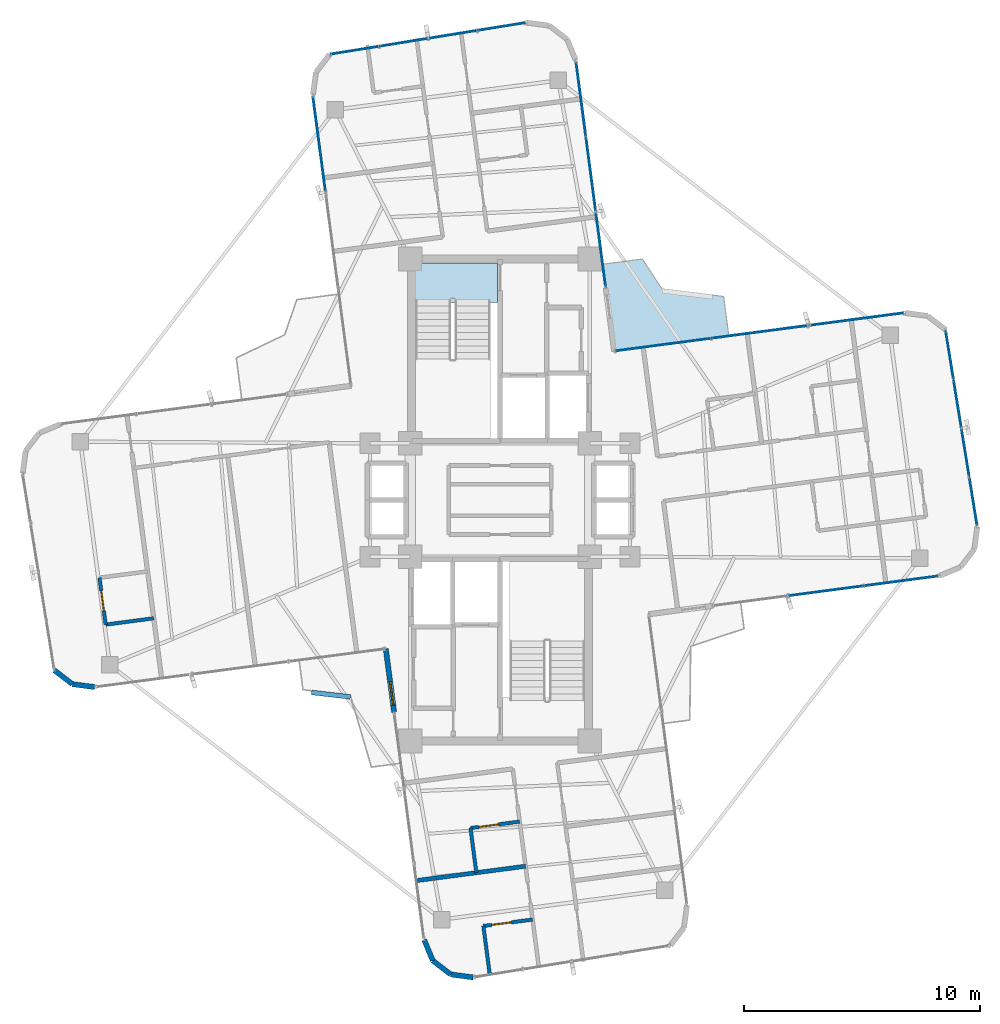
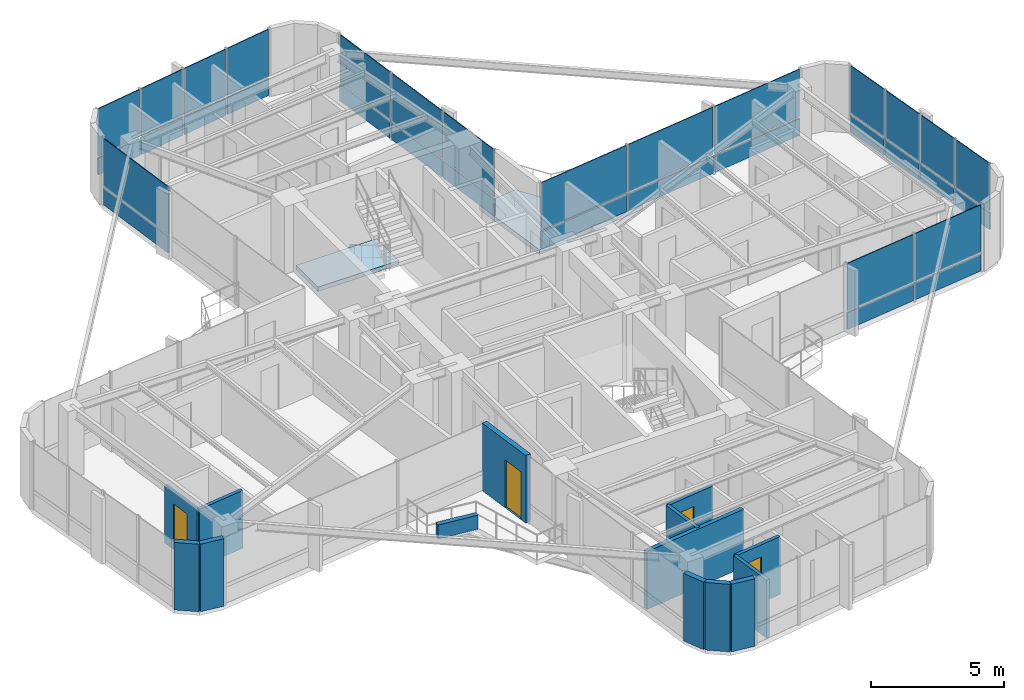
# One storey, part 18 of 22: 34 plates, 14 walls, 4 doors, 2 slabs, 4 openings, 6 elements without a shape of their own.
"""IFC4 building model written with IfcOpenShell, lengths in metres."""

from ifc_helpers import new_model, si_unit, direction, frame, frame_2d, origin, origin_2d, place, context, subcontext, project, spatial, polyline, rectangle, outline, extrude, source, transform, mapped, material, layer, layer_set, type_object, element, fill, aggregate, save


model = new_model("IFC4")

# Units and contexts
model_context = context("Model", 3, precision=1e-05, world=origin(), true_north=direction((0.0, 1.0)))
body_context = subcontext(model_context, "Body", "Model", "MODEL_VIEW")
ifc_project = project(units=[si_unit("LENGTHUNIT", "METRE"), si_unit("AREAUNIT", "SQUARE_METRE"), si_unit("VOLUMEUNIT", "CUBIC_METRE"), si_unit("PLANEANGLEUNIT", "RADIAN"), si_unit("MASSUNIT", "GRAM", prefix="KILO")], contexts=[model_context])

# Site, building, storey
site_placement = place(None, origin())
site = spatial("IfcSite", under=ifc_project, at=site_placement, CompositionType="ELEMENT")
building_placement = place(site_placement, origin())
building = spatial("IfcBuilding", under=site, at=building_placement, Name="Sahyath Konkavel Grand Hotel", CompositionType="ELEMENT")
storey_placement = place(building_placement, frame((0.0, 0.0, 247.85009765625)))
storey = spatial("IfcBuildingStorey", under=building, at=storey_placement, Name="L69", CompositionType="ELEMENT", Elevation=247.85009765625)

# Slabs
ifc_material_1 = material(Name="Concrete C40/50", Category="concrete")
ifc_layer_1 = layer(ifc_material_1, 0.219970703125)
ifc_layer_set_1 = layer_set([ifc_layer_1], Name="Concrete C40/50")
slab_type_1 = type_object("IfcSlabType", Name="SLB-BALCONY-220", PredefinedType="FLOOR", material=ifc_layer_set_1)
slab_1_placement = place(storey_placement, frame((0.0, 0.0, -0.22021484375)))
element("IfcSlab", 1, at=slab_1_placement, inside=storey, type_object=slab_type_1, Name="L69 Winter-Garden Balcony NE", PredefinedType="FLOOR", context=body_context, shape_type="SweptSolid", body=[
    extrude(outline(polyline([(4.832275390625, 6.297607421875), (9.681396484375, 6.93603515625), (9.461181640625, 8.610107421875), (6.851318359375, 8.9287109375), (6.022216796875, 10.1953125), (4.34814453125, 9.974853515625), (4.832275390625, 6.297607421875)])), origin(), (0.0, 0.0, 1.0), 0.22021484375),
])
ifc_layer_2 = layer(ifc_material_1, 0.199951171875)
ifc_layer_set_2 = layer_set([ifc_layer_2], Name="Concrete C40/50")
slab_type_2 = type_object("IfcSlabType", Name="SLB-STAIR-LND", PredefinedType="LANDING", material=ifc_layer_set_2)
slab_2_placement = place(storey_placement, frame((0.0, 0.0, -0.2001953125)))
element("IfcSlab", 2, at=slab_2_placement, inside=storey, type_object=slab_type_2, Name="L69 Stair ST-1 Floor Landing Slab", PredefinedType="LANDING", context=body_context, shape_type="SweptSolid", body=[
    extrude(outline(polyline([(-3.6201171875, 8.35009765625), (-0.10009765625, 8.35009765625), (-0.10009765625, 10.02001953125), (-3.6201171875, 10.02001953125), (-3.6201171875, 8.35009765625)])), origin(), (0.0, 0.0, 1.0), 0.2001953125),
])

# Curtain wall, plates
ifc_material_2 = material(Name="Anodised Bronze Aluminium & Low-E Glazing", Category="aluminium")
curtain_wall_type = type_object("IfcCurtainWallType", Name="CW-ZONE4", PredefinedType="NOTDEFINED", material=ifc_material_2)
curtain_wall_1_placement = place(storey_placement, origin())
curtain_wall_1 = element("IfcCurtainWall", 3, at=curtain_wall_1_placement, inside=storey, type_object=curtain_wall_type, Name="L69 Unitised Curtain Wall F0", PredefinedType="NOTDEFINED")
ifc_material_3 = material(Name="Warm Buff Sandstone Cladding", Category="masonry")
ifc_layer_3 = layer(ifc_material_3, 0.074951171875)
ifc_layer_set_3 = layer_set([ifc_layer_3], Name="Warm Buff Sandstone Cladding")
plate_type_1 = type_object("IfcPlateType", Name="PNL-SPANDREL-STONE", PredefinedType="SHEET", material=ifc_layer_set_3)
shared_shape_1 = source(origin(), body_context, "Body", "SweptSolid", [
    extrude(rectangle(XDim=3.13232421875, YDim=0.074951171875, at=origin_2d()), origin(), (0.0, 0.0, 1.0), 0.77001953125),
])
plate_1_placement = place(storey_placement, frame((13.79150390625, -3.845703125, 0.039794921875), z_axis=(0.0, 0.0, 1.0), x_axis=(0.991444861374, 0.13052619222, 0.0)))
plate_1 = element("IfcPlate", 4, at=plate_1_placement, type_object=plate_type_1, Name="L69 Sandstone Relief Spandrel Panel F0-1", PredefinedType="SHEET", context=body_context, shape_type="MappedRepresentation", body=[
    mapped(shared_shape_1, transform((0.0, 0.0, 0.0), scale=1.0)),
])
plate_2_placement = place(storey_placement, frame((16.976318359375, -3.426513671875, 0.039794921875), z_axis=(0.0, 0.0, 1.0), x_axis=(0.991444861374, 0.13052619222, 0.0)))
plate_2 = element("IfcPlate", 5, at=plate_2_placement, type_object=plate_type_1, Name="L69 Sandstone Relief Spandrel Panel F0-2", PredefinedType="SHEET", context=body_context, shape_type="MappedRepresentation", body=[
    mapped(shared_shape_1, transform((0.0, 0.0, 0.0), scale=1.0)),
])

curtain_wall_2_placement = place(storey_placement, origin())
curtain_wall_2 = element("IfcCurtainWall", 6, at=curtain_wall_2_placement, inside=storey, type_object=curtain_wall_type, Name="L69 Unitised Curtain Wall F8", PredefinedType="NOTDEFINED")
plate_3_placement = place(storey_placement, frame((4.26513671875, 10.606689453125, 0.039794921875), z_axis=(0.0, 0.0, 1.0), x_axis=(-0.13052619222, 0.991444861374, 0.0)))
plate_3 = element("IfcPlate", 7, at=plate_3_placement, type_object=plate_type_1, Name="L69 Sandstone Relief Spandrel Panel F8-0", PredefinedType="SHEET", context=body_context, shape_type="MappedRepresentation", body=[
    mapped(shared_shape_1, transform((0.0, 0.0, 0.0), scale=1.0)),
])
plate_4_placement = place(storey_placement, frame((3.845703125, 13.79150390625, 0.039794921875), z_axis=(0.0, 0.0, 1.0), x_axis=(-0.13052619222, 0.991444861374, 0.0)))
plate_4 = element("IfcPlate", 8, at=plate_4_placement, type_object=plate_type_1, Name="L69 Sandstone Relief Spandrel Panel F8-1", PredefinedType="SHEET", context=body_context, shape_type="MappedRepresentation", body=[
    mapped(shared_shape_1, transform((0.0, 0.0, 0.0), scale=1.0)),
])
plate_5_placement = place(storey_placement, frame((3.426513671875, 16.976318359375, 0.039794921875), z_axis=(0.0, 0.0, 1.0), x_axis=(-0.13052619222, 0.991444861374, 0.0)))
plate_5 = element("IfcPlate", 9, at=plate_5_placement, type_object=plate_type_1, Name="L69 Sandstone Relief Spandrel Panel F8-2", PredefinedType="SHEET", context=body_context, shape_type="MappedRepresentation", body=[
    mapped(shared_shape_1, transform((0.0, 0.0, 0.0), scale=1.0)),
])

# Plate
ifc_material_4 = material(Name="Low-E Solar Control Double Glazing", Category="glass")
ifc_layer_4 = layer(ifc_material_4, 0.035888671875)
ifc_layer_set_4 = layer_set([ifc_layer_4], Name="Low-E Solar Control Double Glazing")
plate_type_2 = type_object("IfcPlateType", Name="PNL-VISION-LOWE", PredefinedType="CURTAIN_PANEL", material=ifc_layer_set_4)
shared_shape_2 = source(origin(), body_context, "Body", "SweptSolid", [
    extrude(rectangle(XDim=3.13232421875, YDim=0.035888671875, at=origin_2d()), origin(), (0.0, 0.0, 1.0), 2.179931640625),
])
plate_6_placement = place(storey_placement, frame((13.79150390625, -3.845703125, 0.89013671875), z_axis=(0.0, 0.0, 1.0), x_axis=(0.991444861374, 0.13052619222, 0.0)))
plate_6 = element("IfcPlate", 10, at=plate_6_placement, type_object=plate_type_2, Name="L69 Low-E Vision Glazing Panel F0-1", PredefinedType="CURTAIN_PANEL", context=body_context, shape_type="MappedRepresentation", body=[
    mapped(shared_shape_2, transform((0.0, 0.0, 0.0), scale=1.0)),
])

plate_7_placement = place(storey_placement, frame((16.976318359375, -3.426513671875, 0.89013671875), z_axis=(0.0, 0.0, 1.0), x_axis=(0.991444861374, 0.13052619222, 0.0)))
plate_7 = element("IfcPlate", 11, at=plate_7_placement, type_object=plate_type_2, Name="L69 Low-E Vision Glazing Panel F0-2", PredefinedType="CURTAIN_PANEL", context=body_context, shape_type="MappedRepresentation", body=[
    mapped(shared_shape_2, transform((0.0, 0.0, 0.0), scale=1.0)),
])

aggregate(curtain_wall_1, [plate_1, plate_6, plate_2, plate_7])

plate_8_placement = place(storey_placement, frame((4.26513671875, 10.606689453125, 0.89013671875), z_axis=(0.0, 0.0, 1.0), x_axis=(-0.13052619222, 0.991444861374, 0.0)))
plate_8 = element("IfcPlate", 12, at=plate_8_placement, type_object=plate_type_2, Name="L69 Low-E Vision Glazing Panel F8-0", PredefinedType="CURTAIN_PANEL", context=body_context, shape_type="MappedRepresentation", body=[
    mapped(shared_shape_2, transform((0.0, 0.0, 0.0), scale=1.0)),
])

plate_9_placement = place(storey_placement, frame((3.845703125, 13.79150390625, 0.89013671875), z_axis=(0.0, 0.0, 1.0), x_axis=(-0.13052619222, 0.991444861374, 0.0)))
plate_9 = element("IfcPlate", 13, at=plate_9_placement, type_object=plate_type_2, Name="L69 Low-E Vision Glazing Panel F8-1", PredefinedType="CURTAIN_PANEL", context=body_context, shape_type="MappedRepresentation", body=[
    mapped(shared_shape_2, transform((0.0, 0.0, 0.0), scale=1.0)),
])

plate_10_placement = place(storey_placement, frame((3.426513671875, 16.976318359375, 0.89013671875), z_axis=(0.0, 0.0, 1.0), x_axis=(-0.13052619222, 0.991444861374, 0.0)))
plate_10 = element("IfcPlate", 14, at=plate_10_placement, type_object=plate_type_2, Name="L69 Low-E Vision Glazing Panel F8-2", PredefinedType="CURTAIN_PANEL", context=body_context, shape_type="MappedRepresentation", body=[
    mapped(shared_shape_2, transform((0.0, 0.0, 0.0), scale=1.0)),
])

aggregate(curtain_wall_2, [plate_3, plate_8, plate_4, plate_9, plate_5, plate_10])

# Curtain wall, plates
curtain_wall_3_placement = place(storey_placement, origin())
curtain_wall_3 = element("IfcCurtainWall", 15, at=curtain_wall_3_placement, inside=storey, type_object=curtain_wall_type, Name="L69 Unitised Curtain Wall F4", PredefinedType="NOTDEFINED")
shared_shape_3 = source(origin(), body_context, "Body", "SweptSolid", [
    extrude(rectangle(XDim=2.013671875, YDim=0.074951171875, at=origin_2d()), origin(), (0.0, 0.0, 1.0), 0.77001953125),
])
plate_11_placement = place(storey_placement, frame((20.027587890625, -0.06298828125, 0.039794921875), z_axis=(0.0, 0.0, 1.0), x_axis=(-0.159536602398, 0.987192013995, 0.0)))
plate_11 = element("IfcPlate", 16, at=plate_11_placement, type_object=plate_type_1, Name="L69 Sandstone Relief Spandrel Panel F4-0", PredefinedType="SHEET", context=body_context, shape_type="MappedRepresentation", body=[
    mapped(shared_shape_3, transform((0.0, 0.0, 0.0), scale=1.0)),
])
plate_12_placement = place(storey_placement, frame((19.693603515625, 2.00390625, 0.039794921875), z_axis=(0.0, 0.0, 1.0), x_axis=(-0.159536602398, 0.987192013995, 0.0)))
plate_12 = element("IfcPlate", 17, at=plate_12_placement, type_object=plate_type_1, Name="L69 Sandstone Relief Spandrel Panel F4-1", PredefinedType="SHEET", context=body_context, shape_type="MappedRepresentation", body=[
    mapped(shared_shape_3, transform((0.0, 0.0, 0.0), scale=1.0)),
])
plate_13_placement = place(storey_placement, frame((19.359619140625, 4.070556640625, 0.039794921875), z_axis=(0.0, 0.0, 1.0), x_axis=(-0.159536602398, 0.987192013995, 0.0)))
plate_13 = element("IfcPlate", 18, at=plate_13_placement, type_object=plate_type_1, Name="L69 Sandstone Relief Spandrel Panel F4-2", PredefinedType="SHEET", context=body_context, shape_type="MappedRepresentation", body=[
    mapped(shared_shape_3, transform((0.0, 0.0, 0.0), scale=1.0)),
])
plate_14_placement = place(storey_placement, frame((19.025634765625, 6.137451171875, 0.039794921875), z_axis=(0.0, 0.0, 1.0), x_axis=(-0.159536602398, 0.987192013995, 0.0)))
plate_14 = element("IfcPlate", 19, at=plate_14_placement, type_object=plate_type_1, Name="L69 Sandstone Relief Spandrel Panel F4-3", PredefinedType="SHEET", context=body_context, shape_type="MappedRepresentation", body=[
    mapped(shared_shape_3, transform((0.0, 0.0, 0.0), scale=1.0)),
])

curtain_wall_4_placement = place(storey_placement, origin())
curtain_wall_4 = element("IfcCurtainWall", 20, at=curtain_wall_4_placement, inside=storey, type_object=curtain_wall_type, Name="L69 Unitised Curtain Wall F12", PredefinedType="NOTDEFINED")
plate_15_placement = place(storey_placement, frame((0.06298828125, 20.027587890625, 0.039794921875), z_axis=(0.0, 0.0, 1.0), x_axis=(-0.987192013995, -0.159536602398, 0.0)))
plate_15 = element("IfcPlate", 21, at=plate_15_placement, type_object=plate_type_1, Name="L69 Sandstone Relief Spandrel Panel F12-0", PredefinedType="SHEET", context=body_context, shape_type="MappedRepresentation", body=[
    mapped(shared_shape_3, transform((0.0, 0.0, 0.0), scale=1.0)),
])
plate_16_placement = place(storey_placement, frame((-2.00390625, 19.693603515625, 0.039794921875), z_axis=(0.0, 0.0, 1.0), x_axis=(-0.987192013995, -0.159536602398, 0.0)))
plate_16 = element("IfcPlate", 22, at=plate_16_placement, type_object=plate_type_1, Name="L69 Sandstone Relief Spandrel Panel F12-1", PredefinedType="SHEET", context=body_context, shape_type="MappedRepresentation", body=[
    mapped(shared_shape_3, transform((0.0, 0.0, 0.0), scale=1.0)),
])
plate_17_placement = place(storey_placement, frame((-4.070556640625, 19.359619140625, 0.039794921875), z_axis=(0.0, 0.0, 1.0), x_axis=(-0.987192013995, -0.159536602398, 0.0)))
plate_17 = element("IfcPlate", 23, at=plate_17_placement, type_object=plate_type_1, Name="L69 Sandstone Relief Spandrel Panel F12-2", PredefinedType="SHEET", context=body_context, shape_type="MappedRepresentation", body=[
    mapped(shared_shape_3, transform((0.0, 0.0, 0.0), scale=1.0)),
])
plate_18_placement = place(storey_placement, frame((-6.137451171875, 19.025634765625, 0.039794921875), z_axis=(0.0, 0.0, 1.0), x_axis=(-0.987192013995, -0.159536602398, 0.0)))
plate_18 = element("IfcPlate", 24, at=plate_18_placement, type_object=plate_type_1, Name="L69 Sandstone Relief Spandrel Panel F12-3", PredefinedType="SHEET", context=body_context, shape_type="MappedRepresentation", body=[
    mapped(shared_shape_3, transform((0.0, 0.0, 0.0), scale=1.0)),
])

# Plate
shared_shape_4 = source(origin(), body_context, "Body", "SweptSolid", [
    extrude(rectangle(XDim=2.013671875, YDim=0.035888671875, at=origin_2d()), origin(), (0.0, 0.0, 1.0), 2.179931640625),
])
plate_19_placement = place(storey_placement, frame((20.027587890625, -0.06298828125, 0.89013671875), z_axis=(0.0, 0.0, 1.0), x_axis=(-0.159536602398, 0.987192013995, 0.0)))
plate_19 = element("IfcPlate", 25, at=plate_19_placement, type_object=plate_type_2, Name="L69 Low-E Vision Glazing Panel F4-0", PredefinedType="CURTAIN_PANEL", context=body_context, shape_type="MappedRepresentation", body=[
    mapped(shared_shape_4, transform((0.0, 0.0, 0.0), scale=1.0)),
])

plate_20_placement = place(storey_placement, frame((19.693603515625, 2.00390625, 0.89013671875), z_axis=(0.0, 0.0, 1.0), x_axis=(-0.159536602398, 0.987192013995, 0.0)))
plate_20 = element("IfcPlate", 26, at=plate_20_placement, type_object=plate_type_2, Name="L69 Low-E Vision Glazing Panel F4-1", PredefinedType="CURTAIN_PANEL", context=body_context, shape_type="MappedRepresentation", body=[
    mapped(shared_shape_4, transform((0.0, 0.0, 0.0), scale=1.0)),
])

plate_21_placement = place(storey_placement, frame((19.359619140625, 4.070556640625, 0.89013671875), z_axis=(0.0, 0.0, 1.0), x_axis=(-0.159536602398, 0.987192013995, 0.0)))
plate_21 = element("IfcPlate", 27, at=plate_21_placement, type_object=plate_type_2, Name="L69 Low-E Vision Glazing Panel F4-2", PredefinedType="CURTAIN_PANEL", context=body_context, shape_type="MappedRepresentation", body=[
    mapped(shared_shape_4, transform((0.0, 0.0, 0.0), scale=1.0)),
])

plate_22_placement = place(storey_placement, frame((19.025634765625, 6.137451171875, 0.89013671875), z_axis=(0.0, 0.0, 1.0), x_axis=(-0.159536602398, 0.987192013995, 0.0)))
plate_22 = element("IfcPlate", 28, at=plate_22_placement, type_object=plate_type_2, Name="L69 Low-E Vision Glazing Panel F4-3", PredefinedType="CURTAIN_PANEL", context=body_context, shape_type="MappedRepresentation", body=[
    mapped(shared_shape_4, transform((0.0, 0.0, 0.0), scale=1.0)),
])

aggregate(curtain_wall_3, [plate_11, plate_19, plate_12, plate_20, plate_13, plate_21, plate_14, plate_22])

plate_23_placement = place(storey_placement, frame((0.06298828125, 20.027587890625, 0.89013671875), z_axis=(0.0, 0.0, 1.0), x_axis=(-0.987192013995, -0.159536602398, 0.0)))
plate_23 = element("IfcPlate", 29, at=plate_23_placement, type_object=plate_type_2, Name="L69 Low-E Vision Glazing Panel F12-0", PredefinedType="CURTAIN_PANEL", context=body_context, shape_type="MappedRepresentation", body=[
    mapped(shared_shape_4, transform((0.0, 0.0, 0.0), scale=1.0)),
])

plate_24_placement = place(storey_placement, frame((-2.00390625, 19.693603515625, 0.89013671875), z_axis=(0.0, 0.0, 1.0), x_axis=(-0.987192013995, -0.159536602398, 0.0)))
plate_24 = element("IfcPlate", 30, at=plate_24_placement, type_object=plate_type_2, Name="L69 Low-E Vision Glazing Panel F12-1", PredefinedType="CURTAIN_PANEL", context=body_context, shape_type="MappedRepresentation", body=[
    mapped(shared_shape_4, transform((0.0, 0.0, 0.0), scale=1.0)),
])

plate_25_placement = place(storey_placement, frame((-4.070556640625, 19.359619140625, 0.89013671875), z_axis=(0.0, 0.0, 1.0), x_axis=(-0.987192013995, -0.159536602398, 0.0)))
plate_25 = element("IfcPlate", 31, at=plate_25_placement, type_object=plate_type_2, Name="L69 Low-E Vision Glazing Panel F12-2", PredefinedType="CURTAIN_PANEL", context=body_context, shape_type="MappedRepresentation", body=[
    mapped(shared_shape_4, transform((0.0, 0.0, 0.0), scale=1.0)),
])

plate_26_placement = place(storey_placement, frame((-6.137451171875, 19.025634765625, 0.89013671875), z_axis=(0.0, 0.0, 1.0), x_axis=(-0.987192013995, -0.159536602398, 0.0)))
plate_26 = element("IfcPlate", 32, at=plate_26_placement, type_object=plate_type_2, Name="L69 Low-E Vision Glazing Panel F12-3", PredefinedType="CURTAIN_PANEL", context=body_context, shape_type="MappedRepresentation", body=[
    mapped(shared_shape_4, transform((0.0, 0.0, 0.0), scale=1.0)),
])

aggregate(curtain_wall_4, [plate_15, plate_23, plate_16, plate_24, plate_17, plate_25, plate_18, plate_26])

# Curtain wall, plates
curtain_wall_5_placement = place(storey_placement, origin())
curtain_wall_5 = element("IfcCurtainWall", 33, at=curtain_wall_5_placement, inside=storey, type_object=curtain_wall_type, Name="L69 Unitised Curtain Wall F7", PredefinedType="NOTDEFINED")
shared_shape_5 = source(origin(), body_context, "Body", "SweptSolid", [
    extrude(rectangle(XDim=4.0322265625, YDim=0.074951171875, at=origin_2d()), origin(), (0.0, 0.0, 1.0), 0.77001953125),
])
plate_27_placement = place(storey_placement, frame((15.064697265625, 7.644775390625, 0.039794921875), z_axis=(0.0, 0.0, 1.0), x_axis=(-0.991444861374, -0.13052619222, 0.0)))
plate_27 = element("IfcPlate", 34, at=plate_27_placement, type_object=plate_type_1, Name="L69 Sandstone Relief Spandrel Panel F7-0", PredefinedType="SHEET", context=body_context, shape_type="MappedRepresentation", body=[
    mapped(shared_shape_5, transform((0.0, 0.0, 0.0), scale=1.0)),
])
plate_28_placement = place(storey_placement, frame((10.98779296875, 7.10791015625, 0.039794921875), z_axis=(0.0, 0.0, 1.0), x_axis=(-0.991444861374, -0.13052619222, 0.0)))
plate_28 = element("IfcPlate", 35, at=plate_28_placement, type_object=plate_type_1, Name="L69 Sandstone Relief Spandrel Panel F7-1", PredefinedType="SHEET", context=body_context, shape_type="MappedRepresentation", body=[
    mapped(shared_shape_5, transform((0.0, 0.0, 0.0), scale=1.0)),
])
plate_29_placement = place(storey_placement, frame((6.910400390625, 6.5712890625, 0.039794921875), z_axis=(0.0, 0.0, 1.0), x_axis=(-0.991444861374, -0.13052619222, 0.0)))
plate_29 = element("IfcPlate", 36, at=plate_29_placement, type_object=plate_type_1, Name="L69 Sandstone Relief Spandrel Panel F7-2", PredefinedType="SHEET", context=body_context, shape_type="MappedRepresentation", body=[
    mapped(shared_shape_5, transform((0.0, 0.0, 0.0), scale=1.0)),
])

# Curtain wall, plate
curtain_wall_6_placement = place(storey_placement, origin())
curtain_wall_6 = element("IfcCurtainWall", 37, at=curtain_wall_6_placement, inside=storey, type_object=curtain_wall_type, Name="L69 Unitised Curtain Wall F15", PredefinedType="NOTDEFINED")
plate_30_placement = place(storey_placement, frame((-7.644775390625, 15.064697265625, 0.039794921875), z_axis=(0.0, 0.0, 1.0), x_axis=(0.13052619222, -0.991444861374, 0.0)))
plate_30 = element("IfcPlate", 38, at=plate_30_placement, type_object=plate_type_1, Name="L69 Sandstone Relief Spandrel Panel F15-0", PredefinedType="SHEET", context=body_context, shape_type="MappedRepresentation", body=[
    mapped(shared_shape_5, transform((0.0, 0.0, 0.0), scale=1.0)),
])

# Plate
shared_shape_6 = source(origin(), body_context, "Body", "SweptSolid", [
    extrude(rectangle(XDim=4.0322265625, YDim=0.035888671875, at=origin_2d()), origin(), (0.0, 0.0, 1.0), 2.179931640625),
])
plate_31_placement = place(storey_placement, frame((15.064697265625, 7.644775390625, 0.89013671875), z_axis=(0.0, 0.0, 1.0), x_axis=(-0.991444861374, -0.13052619222, 0.0)))
plate_31 = element("IfcPlate", 39, at=plate_31_placement, type_object=plate_type_2, Name="L69 Low-E Vision Glazing Panel F7-0", PredefinedType="CURTAIN_PANEL", context=body_context, shape_type="MappedRepresentation", body=[
    mapped(shared_shape_6, transform((0.0, 0.0, 0.0), scale=1.0)),
])

plate_32_placement = place(storey_placement, frame((10.98779296875, 7.10791015625, 0.89013671875), z_axis=(0.0, 0.0, 1.0), x_axis=(-0.991444861374, -0.13052619222, 0.0)))
plate_32 = element("IfcPlate", 40, at=plate_32_placement, type_object=plate_type_2, Name="L69 Low-E Vision Glazing Panel F7-1", PredefinedType="CURTAIN_PANEL", context=body_context, shape_type="MappedRepresentation", body=[
    mapped(shared_shape_6, transform((0.0, 0.0, 0.0), scale=1.0)),
])

plate_33_placement = place(storey_placement, frame((6.910400390625, 6.5712890625, 0.89013671875), z_axis=(0.0, 0.0, 1.0), x_axis=(-0.991444861374, -0.13052619222, 0.0)))
plate_33 = element("IfcPlate", 41, at=plate_33_placement, type_object=plate_type_2, Name="L69 Low-E Vision Glazing Panel F7-2", PredefinedType="CURTAIN_PANEL", context=body_context, shape_type="MappedRepresentation", body=[
    mapped(shared_shape_6, transform((0.0, 0.0, 0.0), scale=1.0)),
])

aggregate(curtain_wall_5, [plate_27, plate_31, plate_28, plate_32, plate_29, plate_33])

plate_34_placement = place(storey_placement, frame((-7.644775390625, 15.064697265625, 0.89013671875), z_axis=(0.0, 0.0, 1.0), x_axis=(0.13052619222, -0.991444861374, 0.0)))
plate_34 = element("IfcPlate", 42, at=plate_34_placement, type_object=plate_type_2, Name="L69 Low-E Vision Glazing Panel F15-0", PredefinedType="CURTAIN_PANEL", context=body_context, shape_type="MappedRepresentation", body=[
    mapped(shared_shape_6, transform((0.0, 0.0, 0.0), scale=1.0)),
])

aggregate(curtain_wall_6, [plate_30, plate_34])

# Walls
ifc_material_5 = material(Name="Warm Buff Sandstone Insulated Concrete C40/50", Category="masonry")
ifc_layer_5 = layer(ifc_material_5, 0.219970703125)
ifc_layer_set_5 = layer_set([ifc_layer_5], Name="Warm Buff Sandstone Insulated Concrete C40/50")
wall_type_1 = type_object("IfcWallType", Name="WLL-BALC-THRESH", PredefinedType="STANDARD", material=ifc_layer_set_5)
for number, where, z_axis, x_axis, name in (
    (43, (-18.852294921875, -7.21044921875, 0.0), (0.0, 0.0, 1.0), (0.793343685778, -0.608774010809, 0.0), "L69 Rounded Corner Sandstone Pier 21"),
    (44, (-18.092529296875, -7.79345703125, 0.0), (0.0, 0.0, 1.0), (0.991444747987, -0.130527053476, 0.0), "L69 Rounded Corner Sandstone Pier 22"),
):
    element("IfcWall", number, at=place(storey_placement, frame(where, z_axis=z_axis, x_axis=x_axis)), inside=storey, type_object=wall_type_1, Name=name, PredefinedType="STANDARD", context=body_context, shape_type="SweptSolid", body=[
        extrude(rectangle(XDim=0.957763671875, YDim=0.219970703125, at=frame_2d((0.47900390625, 0.0))), origin(), (0.0, 0.0, 1.0), 3.10986328125),
    ])

# Wall, opening, door
wall_1_placement = place(storey_placement, frame((-4.832275390625, -6.297607421875, 0.0), z_axis=(0.0, 0.0, 1.0), x_axis=(0.130475563272, -0.991451525486, 0.0)))
wall_1 = element("IfcWall", 45, at=wall_1_placement, inside=storey, type_object=wall_type_1, Name="L69 Winter-Garden Threshold Wall 24", PredefinedType="STANDARD", context=body_context, shape_type="SweptSolid", body=[
    extrude(rectangle(XDim=2.7001953125, YDim=0.219970703125, at=frame_2d((1.35009765625, 0.0))), origin(), (0.0, 0.0, 1.0), 3.10986328125),
])
opening_1_placement = place(wall_1_placement, frame((1.39990234375, 0.0, 0.0)))
opening_1 = element("IfcOpeningElement", 46, at=opening_1_placement, cuts=wall_1, Name="Opening D-TR1", PredefinedType="OPENING", context=body_context, shape_type="SweptSolid", body=[
    extrude(rectangle(XDim=1.0, YDim=2.199951171875, at=frame_2d((0.5, 1.10009765625))), frame((0.0, 0.1201171875, 0.0), z_axis=(0.0, -1.0, 0.0), x_axis=(1.0, 0.0, 0.0)), (0.0, 0.0, 1.0), 0.239990234375),
])
door_type_1 = type_object("IfcDoorType", Name="DR-TERRACE-1000", OperationType="NOTDEFINED", PredefinedType="DOOR", material=ifc_material_2)
shared_shape_7 = source(origin(), body_context, "Body", "SweptSolid", [
    extrude(rectangle(XDim=1.0, YDim=0.050048828125, at=origin_2d()), origin(), (0.0, 0.0, 1.0), 2.199951171875),
])
door_1_placement = place(opening_1_placement, frame((0.5, 0.0, 0.0)))
door_1 = element("IfcDoor", 47, at=door_1_placement, inside=storey, type_object=door_type_1, Name="L69 Winter-Garden Terrace Door 24", OperationType="SINGLE_SWING_LEFT", OverallHeight=2.199951171875, OverallWidth=1.0, PredefinedType="DOOR", context=body_context, shape_type="MappedRepresentation", body=[
    mapped(shared_shape_7, transform((0.0, 0.0, 0.0), scale=1.0)),
])
fill(opening_1, door_1)

# Walls
for number, where, z_axis, x_axis, name in (
    (48, (-3.211669921875, -18.6083984375, 0.0), (0.0, 0.0, 1.0), (0.382659506909, -0.923889442397, 0.0), "L69 Rounded Corner Sandstone Pier 25"),
    (49, (-2.84521484375, -19.4931640625, 0.0), (0.0, 0.0, 1.0), (0.793343685778, -0.608774010809, 0.0), "L69 Rounded Corner Sandstone Pier 26"),
    (50, (-2.08544921875, -20.076171875, 0.0), (0.0, 0.0, 1.0), (0.991444747987, -0.130527053476, 0.0), "L69 Rounded Corner Sandstone Pier 27"),
):
    element("IfcWall", number, at=place(storey_placement, frame(where, z_axis=z_axis, x_axis=x_axis)), inside=storey, type_object=wall_type_1, Name=name, PredefinedType="STANDARD", context=body_context, shape_type="SweptSolid", body=[
        extrude(rectangle(XDim=0.957763671875, YDim=0.219970703125, at=frame_2d((0.47900390625, 0.0))), origin(), (0.0, 0.0, 1.0), 3.10986328125),
    ])
ifc_material_6 = material(Name="Twin-Stud Acoustic Gypsum Plasterboard Partition")
ifc_layer_6 = layer(ifc_material_6, 0.179931640625)
ifc_layer_set_6 = layer_set([ifc_layer_6], Name="Twin-Stud Acoustic Gypsum Plasterboard Partition")
wall_type_2 = type_object("IfcWallType", Name="WLL-DEMISE-180", PredefinedType="PARTITIONING", material=ifc_layer_set_6)
wall_2_placement = place(storey_placement, frame((1.081787109375, -15.496337890625, 0.0), z_axis=(0.0, 0.0, 1.0), x_axis=(-0.991446547774, -0.130513382096, 0.0)))
element("IfcWall", 51, at=wall_2_placement, inside=storey, type_object=wall_type_2, Name="L69 Partition S-S1R-DEM", PredefinedType="PARTITIONING", context=body_context, shape_type="SweptSolid", body=[
    extrude(rectangle(XDim=4.613037109375, YDim=0.179931640625, at=frame_2d((2.306640625, 0.0))), origin(), (0.0, 0.0, 1.0), 2.659912109375),
])
ifc_material_7 = material(Name="Fire-Rated Gypsum Plasterboard Partition")
ifc_layer_7 = layer(ifc_material_7, 0.14990234375)
ifc_layer_set_7 = layer_set([ifc_layer_7], Name="Fire-Rated Gypsum Plasterboard Partition")
wall_type_3 = type_object("IfcWallType", Name="WLL-PART-150", PredefinedType="PARTITIONING", material=ifc_layer_set_7)
wall_3_placement = place(storey_placement, frame((-14.652099609375, -5.00537109375, 0.0), z_axis=(0.0, 0.0, 1.0), x_axis=(-0.991444969909, -0.13052536781, 0.0)))
element("IfcWall", 52, at=wall_3_placement, inside=storey, type_object=wall_type_3, Name="L69 Partition W-WTIP-BN", PredefinedType="PARTITIONING", context=body_context, shape_type="SweptSolid", body=[
    extrude(rectangle(XDim=2.050048828125, YDim=0.14990234375, at=frame_2d((1.02490234375, 0.0))), origin(), (0.0, 0.0, 1.0), 2.659912109375),
])

# Wall, opening, door
wall_4_placement = place(storey_placement, frame((-16.945556640625, -3.2900390625, 0.0), z_axis=(0.0, 0.0, 1.0), x_axis=(0.130492404742, -0.991449308994, 0.0)))
wall_4 = element("IfcWall", 53, at=wall_4_placement, inside=storey, type_object=wall_type_3, Name="L69 Partition W-WTIP-BE", PredefinedType="PARTITIONING", context=body_context, shape_type="SweptSolid", body=[
    extrude(rectangle(XDim=2.0, YDim=0.14990234375, at=frame_2d((1.0, 0.0))), origin(), (0.0, 0.0, 1.0), 2.6298828125),
])
opening_2_placement = place(wall_4_placement, frame((0.550048828125, 0.0, 0.0)))
opening_2 = element("IfcOpeningElement", 54, at=opening_2_placement, cuts=wall_4, Name="Opening D-BT85", PredefinedType="OPENING", context=body_context, shape_type="SweptSolid", body=[
    extrude(rectangle(XDim=0.85009765625, YDim=2.10009765625, at=frame_2d((0.425048828125, 1.050048828125))), frame((0.0, 0.0849609375, 0.0), z_axis=(0.0, -1.0, 0.0), x_axis=(1.0, 0.0, 0.0)), (0.0, 0.0, 1.0), 0.169921875),
])
ifc_material_8 = material(Name="Moisture-Resistant Teak Bathroom Door")
door_type_2 = type_object("IfcDoorType", Name="DR-BATH-850", OperationType="NOTDEFINED", PredefinedType="DOOR", material=ifc_material_8)
shared_shape_8 = source(origin(), body_context, "Body", "SweptSolid", [
    extrude(rectangle(XDim=0.85009765625, YDim=0.050048828125, at=origin_2d()), origin(), (0.0, 0.0, 1.0), 2.10009765625),
])
door_2_placement = place(opening_2_placement, frame((0.425048828125, 0.0, 0.0)))
door_2 = element("IfcDoor", 55, at=door_2_placement, inside=storey, type_object=door_type_2, Name="L69 Door W-WTIP-BD", OperationType="SINGLE_SWING_RIGHT", OverallHeight=2.10009765625, OverallWidth=0.85009765625, PredefinedType="DOOR", context=body_context, shape_type="MappedRepresentation", body=[
    mapped(shared_shape_8, transform((0.0, 0.0, 0.0), scale=1.0)),
])
fill(opening_2, door_2)

wall_5_placement = place(storey_placement, frame((0.833251953125, -13.607666015625, 0.0), z_axis=(0.0, 0.0, 1.0), x_axis=(-0.991440836415, -0.130556761174, 0.0)))
wall_5 = element("IfcWall", 56, at=wall_5_placement, inside=storey, type_object=wall_type_3, Name="L69 Partition S-S1R-BS", PredefinedType="PARTITIONING", context=body_context, shape_type="SweptSolid", body=[
    extrude(rectangle(XDim=2.10009765625, YDim=0.14990234375, at=frame_2d((1.050048828125, 0.0))), origin(), (0.0, 0.0, 1.0), 2.659912109375),
])
opening_3_placement = place(wall_5_placement, frame((0.89990234375, 0.0, 0.0)))
opening_3 = element("IfcOpeningElement", 57, at=opening_3_placement, cuts=wall_5, Name="Opening D-BT85", PredefinedType="OPENING", context=body_context, shape_type="SweptSolid", body=[
    extrude(rectangle(XDim=0.85009765625, YDim=2.10009765625, at=frame_2d((0.425048828125, 1.050048828125))), frame((0.0, 0.0849609375, 0.0), z_axis=(0.0, -1.0, 0.0), x_axis=(1.0, 0.0, 0.0)), (0.0, 0.0, 1.0), 0.169921875),
])
door_3_placement = place(opening_3_placement, frame((0.425048828125, 0.0, 0.0)))
door_3 = element("IfcDoor", 58, at=door_3_placement, inside=storey, type_object=door_type_2, Name="L69 Door S-S1R-BD", OperationType="SINGLE_SWING_LEFT", OverallHeight=2.10009765625, OverallWidth=0.85009765625, PredefinedType="DOOR", context=body_context, shape_type="MappedRepresentation", body=[
    mapped(shared_shape_8, transform((0.0, 0.0, 0.0), scale=1.0)),
])
fill(opening_3, door_3)

# Wall
wall_6_placement = place(storey_placement, frame((-1.248779296875, -13.8818359375, 0.0), z_axis=(0.0, 0.0, 1.0), x_axis=(0.130593749773, -0.991435964912, 0.0)))
element("IfcWall", 59, at=wall_6_placement, inside=storey, type_object=wall_type_3, Name="L69 Partition S-S1R-BF", PredefinedType="PARTITIONING", context=body_context, shape_type="SweptSolid", body=[
    extrude(rectangle(XDim=1.905029296875, YDim=0.14990234375, at=frame_2d((0.95263671875, 0.0))), origin(), (0.0, 0.0, 1.0), 2.659912109375),
])

# Wall, opening, door
wall_7_placement = place(storey_placement, frame((1.37890625, -17.751953125, 0.0), z_axis=(0.0, 0.0, 1.0), x_axis=(-0.9914558783, -0.13044248305, 0.0)))
wall_7 = element("IfcWall", 60, at=wall_7_placement, inside=storey, type_object=wall_type_3, Name="L69 Partition S-S2R-BS", PredefinedType="PARTITIONING", context=body_context, shape_type="SweptSolid", body=[
    extrude(rectangle(XDim=2.099853515625, YDim=0.14990234375, at=frame_2d((1.0498046875, 0.0))), origin(), (0.0, 0.0, 1.0), 2.659912109375),
])
opening_4_placement = place(wall_7_placement, frame((0.89990234375, 0.0, 0.0)))
opening_4 = element("IfcOpeningElement", 61, at=opening_4_placement, cuts=wall_7, Name="Opening D-BT85", PredefinedType="OPENING", context=body_context, shape_type="SweptSolid", body=[
    extrude(rectangle(XDim=0.85009765625, YDim=2.10009765625, at=frame_2d((0.425048828125, 1.050048828125))), frame((0.0, 0.0849609375, 0.0), z_axis=(0.0, -1.0, 0.0), x_axis=(1.0, 0.0, 0.0)), (0.0, 0.0, 1.0), 0.169921875),
])
door_4_placement = place(opening_4_placement, frame((0.425048828125, 0.0, 0.0)))
door_4 = element("IfcDoor", 62, at=door_4_placement, inside=storey, type_object=door_type_2, Name="L69 Door S-S2R-BD", OperationType="SINGLE_SWING_LEFT", OverallHeight=2.10009765625, OverallWidth=0.85009765625, PredefinedType="DOOR", context=body_context, shape_type="MappedRepresentation", body=[
    mapped(shared_shape_8, transform((0.0, 0.0, 0.0), scale=1.0)),
])
fill(opening_4, door_4)

# Walls
wall_8_placement = place(storey_placement, frame((-0.703125, -18.02587890625, 0.0), z_axis=(0.0, 0.0, 1.0), x_axis=(0.130509958008, -0.991446998513, 0.0)))
element("IfcWall", 63, at=wall_8_placement, inside=storey, type_object=wall_type_3, Name="L69 Partition S-S2R-BF", PredefinedType="PARTITIONING", context=body_context, shape_type="SweptSolid", body=[
    extrude(rectangle(XDim=2.05029296875, YDim=0.14990234375, at=frame_2d((1.025146484375, 0.0))), origin(), (0.0, 0.0, 1.0), 2.659912109375),
])
ifc_material_9 = material(Name="Warm Buff Sandstone Planter Wall", Category="masonry")
ifc_layer_8 = layer(ifc_material_9, 0.199951171875)
ifc_layer_set_8 = layer_set([ifc_layer_8], Name="Warm Buff Sandstone Planter Wall")
wall_type_4 = type_object("IfcWallType", Name="WLL-PLANTER-200", PredefinedType="PARAPET", material=ifc_layer_set_8)
wall_9_placement = place(storey_placement, frame((-7.972900390625, -8.1435546875, 0.0), z_axis=(0.0, 0.0, 1.0), x_axis=(0.993336913932, -0.115246585284, 0.0)))
element("IfcWall", 64, at=wall_9_placement, inside=storey, type_object=wall_type_4, Name="L69 Sky-Garden Stone Planter PLANTER SW", PredefinedType="PARAPET", context=body_context, shape_type="SweptSolid", body=[
    extrude(rectangle(XDim=1.65234375, YDim=0.199951171875, at=frame_2d((0.826171875, 0.0))), origin(), (0.0, 0.0, 1.0), 0.64990234375),
])

save(model, "model.ifc")
